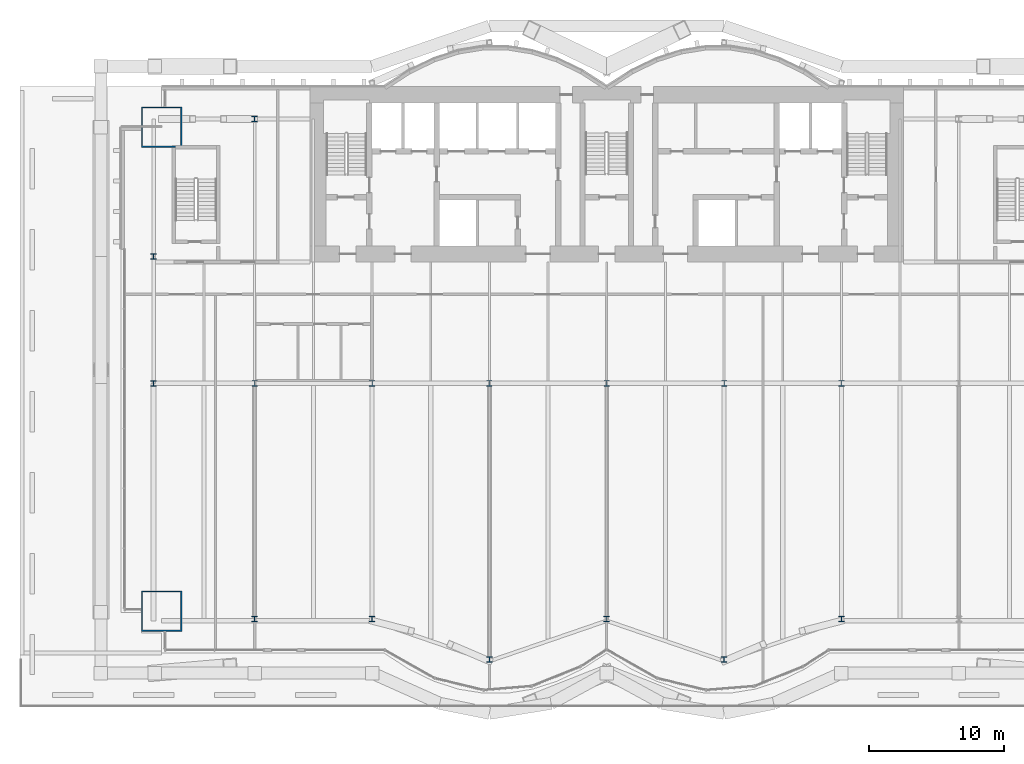
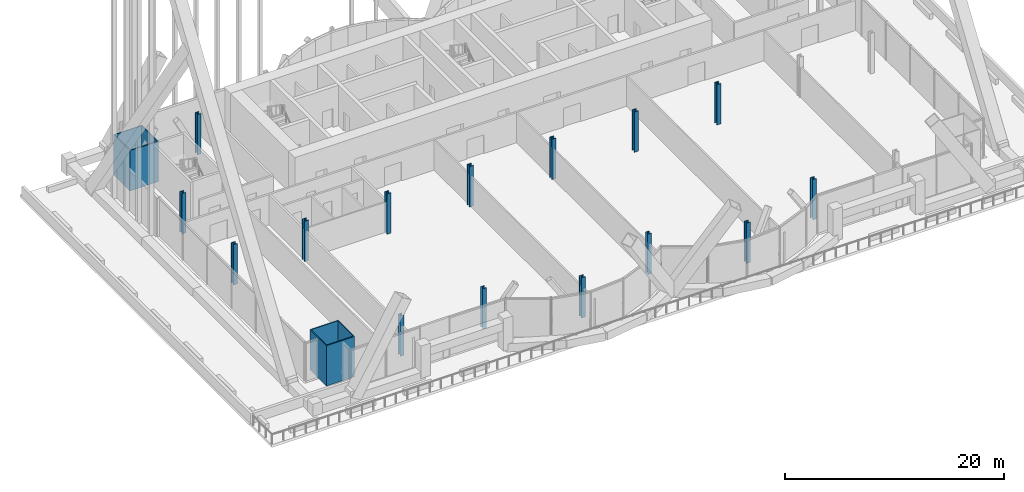
# One storey, part 1 of 29: 17 columns.
"""IFC4 building model written with IfcOpenShell, lengths in metres."""

from ifc_helpers import new_model, si_unit, direction, frame, origin, origin_2d, place, context, subcontext, project, spatial, hollow_rectangle, i_section, extrude, material, material_profile, profile_set, type_object, element, save


model = new_model("IFC4")

# Units and contexts
model_context = context("Model", 3, precision=1e-05, world=origin(), true_north=direction((0.0, 1.0)))
body_context = subcontext(model_context, "Body", "Model", "MODEL_VIEW")
ifc_project = project(units=[si_unit("LENGTHUNIT", "METRE"), si_unit("AREAUNIT", "SQUARE_METRE"), si_unit("VOLUMEUNIT", "CUBIC_METRE"), si_unit("PLANEANGLEUNIT", "RADIAN"), si_unit("MASSUNIT", "GRAM", prefix="KILO")], contexts=[model_context])

# Site, building, storey
site_placement = place(None, origin())
site = spatial("IfcSite", under=ifc_project, at=site_placement, CompositionType="ELEMENT")
building_placement = place(site_placement, origin())
building = spatial("IfcBuilding", under=site, at=building_placement, Name="Bicima Exchange Tower", CompositionType="ELEMENT")
storey_placement = place(building_placement, frame((0.0, 0.0, 35.0)))
storey = spatial("IfcBuildingStorey", under=building, at=storey_placement, Name="L06", CompositionType="ELEMENT", Elevation=35.0)

# Columns
ifc_material_1 = material(Name="Steel ASTM A992 Gr 50", Category="steel")
ifc_material_profile_1 = material_profile(ifc_material_1, i_section(OverallWidth=0.419189453125, OverallDepth=0.45458984375, WebThickness=0.042236328125, FlangeThickness=0.067626953125, at=origin_2d()))
ifc_profile_set_1 = profile_set([ifc_material_profile_1], Name="Steel ASTM A992 Gr 50")
column_type_1 = type_object("IfcColumnType", Name="Interior column W14x370", PredefinedType="COLUMN", material=ifc_profile_set_1)
for number, where, z_axis, x_axis, name in (
    (1, (-26.10009765625, -22.0, 0.0), (0.0, 0.0, 1.0), (1.0, 0.0, 0.0), "Interior column interior-26.1i"),
    (2, (-17.39990234375, -22.0, 0.0), (0.0, 0.0, 1.0), (1.0, 0.0, 0.0), "Interior column interior-17.4i"),
    (3, (-8.699951171875, -22.0, 0.0), (0.0, 0.0, 1.0), (1.0, 0.0, 0.0), "Interior column interior-8.7i"),
    (4, (0.0, -22.0, 0.0), (0.0, 0.0, 1.0), (1.0, 0.0, 0.0), "Interior column interior+0.0i"),
    (5, (8.699951171875, -22.0, 0.0), (0.0, 0.0, 1.0), (1.0, 0.0, 0.0), "Interior column interior+8.7i"),
    (6, (17.39990234375, -22.0, 0.0), (0.0, 0.0, 1.0), (1.0, 0.0, 0.0), "Interior column interior+17.4i"),
):
    element("IfcColumn", number, at=place(storey_placement, frame(where, z_axis=z_axis, x_axis=x_axis)), inside=storey, type_object=column_type_1, Name=name, PredefinedType="COLUMN", context=body_context, shape_type="SweptSolid", body=[
        extrude(i_section(OverallWidth=0.419189453125, OverallDepth=0.45458984375, WebThickness=0.042236328125, FlangeThickness=0.067626953125, at=origin_2d()), origin(), (0.0, 0.0, 1.0), 4.5),
    ])
ifc_material_2 = material(Name="Steel ASTM A572 Gr 50", Category="steel")
ifc_material_profile_2 = material_profile(ifc_material_2, hollow_rectangle(XDim=3.0, YDim=3.0, WallThickness=0.10009765625, at=origin_2d()))
ifc_profile_set_2 = profile_set([ifc_material_profile_2], Name="Steel ASTM A572 Gr 50")
column_type_2 = type_object("IfcColumnType", Name="Mega column BOX 3000x3000x100", PredefinedType="COLUMN", material=ifc_profile_set_2)
for number, where, z_axis, x_axis, name in (
    (7, (-33.0, -38.8779296875, 0.0), (0.0, 0.0, 1.0), (1.0, 0.0, 0.0), "Mega column mega-33.0f"),
    (8, (-33.0, -3.0, 0.0), (0.0, 0.0, 1.0), (1.0, 0.0, 0.0), "Mega column mega-33.0r"),
):
    element("IfcColumn", number, at=place(storey_placement, frame(where, z_axis=z_axis, x_axis=x_axis)), inside=storey, type_object=column_type_2, Name=name, PredefinedType="COLUMN", context=body_context, shape_type="SweptSolid", body=[
        extrude(hollow_rectangle(XDim=3.0, YDim=3.0, WallThickness=0.10009765625, at=origin_2d()), origin(), (0.0, 0.0, 1.0), 4.5),
    ])
ifc_material_profile_3 = material_profile(ifc_material_1, i_section(OverallWidth=0.406494140625, OverallDepth=0.41650390625, WebThickness=0.030029296875, FlangeThickness=0.048095703125, at=origin_2d()))
ifc_profile_set_3 = profile_set([ifc_material_profile_3], Name="Steel ASTM A992 Gr 50")
column_type_3 = type_object("IfcColumnType", Name="Perimeter column W14x257", PredefinedType="COLUMN", material=ifc_profile_set_3)
for number, where, z_axis, x_axis, name in (
    (9, (-26.10009765625, -39.47802734375, 0.0), (0.0, 0.0, 1.0), (1.0, 0.0, 0.0), "Perimeter column grav-26.1f"),
    (10, (-26.10009765625, -2.39990234375, 0.0), (0.0, 0.0, 1.0), (1.0, 0.0, 0.0), "Perimeter column grav-26.1r"),
    (11, (-17.39990234375, -39.47802734375, 0.0), (0.0, 0.0, 1.0), (1.0, 0.0, 0.0), "Perimeter column grav-17.4f"),
    (12, (-8.699951171875, -42.468994140625, 0.0), (0.0, 0.0, 1.0), (1.0, 0.0, 0.0), "Perimeter column grav-8.7f"),
    (13, (0.0, -39.47802734375, 0.0), (0.0, 0.0, 1.0), (1.0, 0.0, 0.0), "Perimeter column grav-0.0f"),
    (14, (8.699951171875, -42.468994140625, 0.0), (0.0, 0.0, 1.0), (1.0, 0.0, 0.0), "Perimeter column grav+8.7f"),
    (15, (17.39990234375, -39.47802734375, 0.0), (0.0, 0.0, 1.0), (1.0, 0.0, 0.0), "Perimeter column grav+17.4f"),
    (16, (-33.60009765625, -12.60009765625, 0.0), (0.0, 0.0, 1.0), (1.0, 0.0, 0.0), "End column end-33.6e"),
    (17, (-33.60009765625, -22.0, 0.0), (0.0, 0.0, 1.0), (1.0, 0.0, 0.0), "End column end-33.6e"),
):
    element("IfcColumn", number, at=place(storey_placement, frame(where, z_axis=z_axis, x_axis=x_axis)), inside=storey, type_object=column_type_3, Name=name, PredefinedType="COLUMN", context=body_context, shape_type="SweptSolid", body=[
        extrude(i_section(OverallWidth=0.406494140625, OverallDepth=0.41650390625, WebThickness=0.030029296875, FlangeThickness=0.048095703125, at=origin_2d()), origin(), (0.0, 0.0, 1.0), 4.5),
    ])

save(model, "model.ifc")
